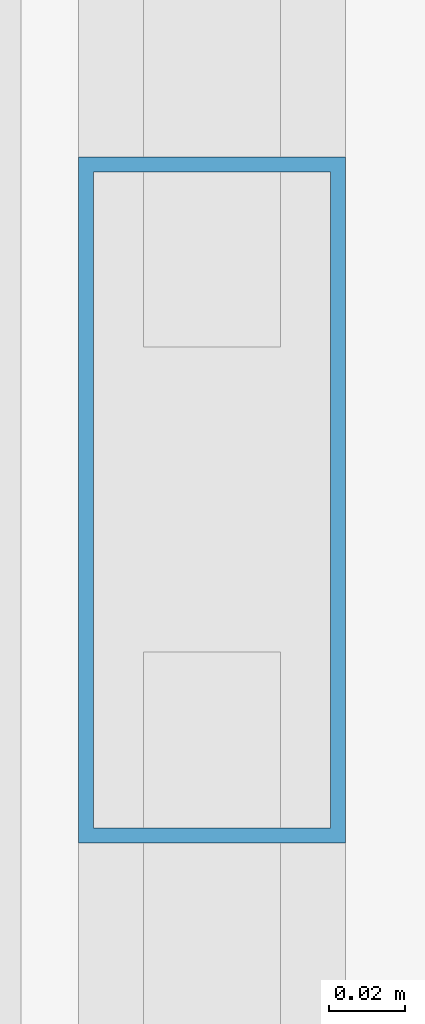
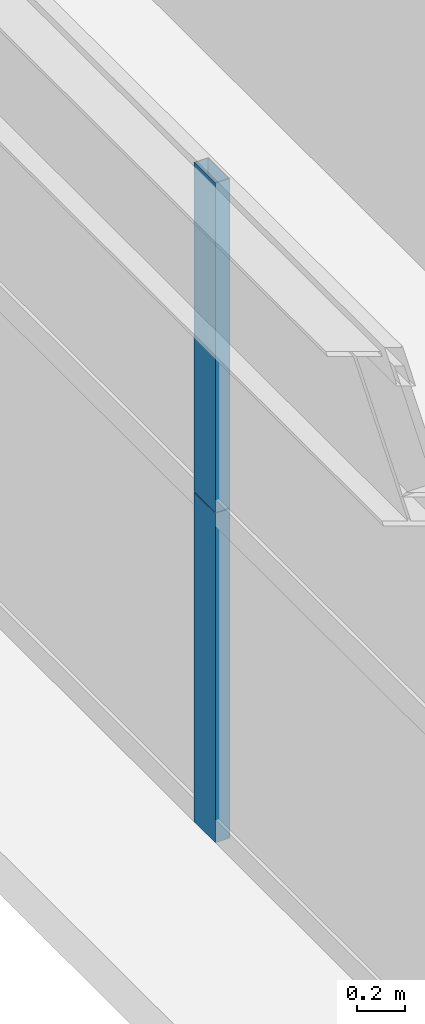
# One storey, part 23 of 43: 2 members, 1 element without a shape of its own.
"""IFC4 building model written with IfcOpenShell, lengths in metres."""

import ifcopenshell
import ifcopenshell.guid

model = None  # the IFC model being written
_history = None  # IfcOwnerHistory: only IFC2X3 demands one
_inside = {}  # id of a spatial element -> (the spatial element, [elements in it])
_under = {}  # id of a project, library or spatial element -> (it, [spatial elements below it])
_declared = {}  # id of a project -> (the project, [libraries it declares])
_typed = {}  # id of a type object -> (the type object, [elements of that type])
_made_of = {}  # id of a material, layer set ... -> (it, [elements and type objects made of it])


def new_model(schema):
    """Start an empty IFC model of exactly this schema.

    Asked for "IFC4X3", IfcOpenShell would pick the latest addendum, in which some entities
    have other attributes; the version numbers below select the first issue.
    IFC2X3 requires an IfcOwnerHistory on every rooted entity: one is made here for all.
    """
    global model, _history
    if schema == "IFC4X3":
        model = ifcopenshell.file(schema_version=(4, 3, 0, 0))
    else:
        model = ifcopenshell.file(schema=schema)
    _inside.clear()
    _under.clear()
    _declared.clear()
    _typed.clear()
    _made_of.clear()
    _history = None
    if model.schema == "IFC2X3":
        org = make("IfcOrganization", Name="unknown")
        user = make(
            "IfcPersonAndOrganization",
            ThePerson=make("IfcPerson", FamilyName="unknown"),
            TheOrganization=org,
        )
        app = make(
            "IfcApplication",
            ApplicationDeveloper=org,
            Version="unknown",
            ApplicationFullName="unknown",
            ApplicationIdentifier="unknown",
        )
        _history = make(
            "IfcOwnerHistory",
            OwningUser=user,
            OwningApplication=app,
            ChangeAction="ADDED",
            CreationDate=0,
        )
    return model


def make(cls, **values):
    """One entity of the class cls with the attributes given. An attribute that is None is left unset."""
    return model.create_entity(
        cls, **{name: value for name, value in values.items() if value is not None}
    )


def rooted(cls, **values):
    """An entity with a GlobalId (a new one), such as an element, a storey or a relation."""
    return make(cls, GlobalId=ifcopenshell.guid.new(), OwnerHistory=_history, **values)


def si_unit(unit_type, name, prefix=None):
    """IfcSIUnit, for example si_unit("LENGTHUNIT", "METRE", prefix="MILLI")."""
    return make("IfcSIUnit", UnitType=unit_type, Prefix=prefix, Name=name)


def assignment(units):
    """IfcUnitAssignment: the units of a project."""
    return None if units is None else make("IfcUnitAssignment", Units=units)


def point(xyz):
    """IfcCartesianPoint."""
    return None if xyz is None else make("IfcCartesianPoint", Coordinates=xyz)


def direction(xyz):
    """IfcDirection."""
    return None if xyz is None else make("IfcDirection", DirectionRatios=xyz)


def frame(location, z_axis=None, x_axis=None):
    """IfcAxis2Placement3D, a coordinate frame: its origin and axes. An axis left out is left unset."""
    return make(
        "IfcAxis2Placement3D",
        Location=point(location),
        Axis=direction(z_axis),
        RefDirection=direction(x_axis),
    )


def frame_2d(location, x_axis=None):
    """IfcAxis2Placement2D, a coordinate frame in the plane: its origin and x axis."""
    return make(
        "IfcAxis2Placement2D", Location=point(location), RefDirection=direction(x_axis)
    )


def origin():
    """The frame at (0, 0, 0) with its axes left unset."""
    return frame((0.0, 0.0, 0.0))


def origin_2d():
    """The frame at (0, 0) in the plane with its x axis left unset."""
    return frame_2d((0.0, 0.0))


def place(relative_to, where):
    """IfcLocalPlacement: puts the frame where relative to a parent placement (None: the world)."""
    return make(
        "IfcLocalPlacement", PlacementRelTo=relative_to, RelativePlacement=where
    )


def context(
    kind, dimensions, precision=None, world=None, true_north=None, identifier=None
):
    """IfcGeometricRepresentationContext, for example the 3D "Model" context."""
    return make(
        "IfcGeometricRepresentationContext",
        ContextIdentifier=identifier,
        ContextType=kind,
        CoordinateSpaceDimension=dimensions,
        Precision=precision,
        WorldCoordinateSystem=world,
        TrueNorth=true_north,
    )


def subcontext(parent, identifier, kind, view, scale=None):
    """IfcGeometricRepresentationSubContext, for example "Body" below "Model"."""
    return make(
        "IfcGeometricRepresentationSubContext",
        ContextIdentifier=identifier,
        ContextType=kind,
        ParentContext=parent,
        TargetScale=scale,
        TargetView=view,
    )


def project(units=None, contexts=None):
    """IfcProject with its units and contexts."""
    return rooted(
        "IfcProject",
        Name="project",
        RepresentationContexts=contexts,
        UnitsInContext=assignment(units),
    )


def spatial(cls, under=None, at=None, **own):
    """A site, building, storey or space (cls), placed at a placement, below another one or the project."""
    s = rooted(cls, ObjectPlacement=at, **own)
    if under is not None:
        _under.setdefault(under.id(), (under, []))[1].append(s)
    return s


def profile(cls, at=None, kind="AREA", **sizes):
    """A parametric profile (cls). Its sizes go by their IFC names, for example OverallWidth=200.0."""
    return make(cls, ProfileType=kind, Position=at, **sizes)


def hollow_rectangle(**sizes):
    """IfcRectangleHollowProfileDef."""
    return profile("IfcRectangleHollowProfileDef", **sizes)


def extrude(swept, where, along, depth):
    """IfcExtrudedAreaSolid: the profile swept, set in the frame where, extruded along a direction by depth."""
    return make(
        "IfcExtrudedAreaSolid",
        SweptArea=swept,
        Position=where,
        ExtrudedDirection=direction(along),
        Depth=depth,
    )


def shape(context_of_items, identifier, shape_type, items):
    """IfcShapeRepresentation: the items that make up one representation, for example the "Body"."""
    return make(
        "IfcShapeRepresentation",
        ContextOfItems=context_of_items,
        RepresentationIdentifier=identifier,
        RepresentationType=shape_type,
        Items=items,
    )


def source(mapping_origin, context_of_items, identifier, shape_type, items):
    """IfcRepresentationMap: a shape defined once, which mapped items show again and again."""
    return make(
        "IfcRepresentationMap",
        MappingOrigin=mapping_origin,
        MappedRepresentation=shape(context_of_items, identifier, shape_type, items),
    )


def transform(
    local_origin,
    x_axis=None,
    y_axis=None,
    z_axis=None,
    scale=None,
    scale2=None,
    scale3=None,
    uniform=True,
):
    """IfcCartesianTransformationOperator3D, or its non-uniform kind. x_axis, y_axis, z_axis: its Axis1, 2, 3."""
    if uniform:
        return make(
            "IfcCartesianTransformationOperator3D",
            Axis1=direction(x_axis),
            Axis2=direction(y_axis),
            LocalOrigin=point(local_origin),
            Scale=scale,
            Axis3=direction(z_axis),
        )
    return make(
        "IfcCartesianTransformationOperator3DnonUniform",
        Axis1=direction(x_axis),
        Axis2=direction(y_axis),
        LocalOrigin=point(local_origin),
        Scale=scale,
        Axis3=direction(z_axis),
        Scale2=scale2,
        Scale3=scale3,
    )


def mapped(mapping_source, mapping_target):
    """IfcMappedItem: shows the shape of a source again, moved by a transform."""
    return make(
        "IfcMappedItem", MappingSource=mapping_source, MappingTarget=mapping_target
    )


def material(Name=None, Category=None):
    """IfcMaterial."""
    return make("IfcMaterial", Name=Name, Category=Category)


def layer(
    of_material, thickness, ventilated=None, Name=None, Category=None, Priority=None
):
    """IfcMaterialLayer: one layer of a wall or slab, of a material (None: an air gap)."""
    return make(
        "IfcMaterialLayer",
        Material=of_material,
        LayerThickness=thickness,
        IsVentilated=ventilated,
        Name=Name,
        Category=Category,
        Priority=Priority,
    )


def layer_set(layers, Name=None):
    """IfcMaterialLayerSet."""
    return make("IfcMaterialLayerSet", MaterialLayers=layers, LayerSetName=Name)


def material_profile(
    of_material, cross_section, Name=None, Category=None, Priority=None
):
    """IfcMaterialProfile: a cross section and its material."""
    return make(
        "IfcMaterialProfile",
        Name=Name,
        Material=of_material,
        Profile=cross_section,
        Priority=Priority,
        Category=Category,
    )


def profile_set(profiles, Name=None, composite=None):
    """IfcMaterialProfileSet."""
    return make(
        "IfcMaterialProfileSet",
        Name=Name,
        MaterialProfiles=profiles,
        CompositeProfile=composite,
    )


def made_of(thing, what):
    """Note that an element or type object is made of a material, layer set ...; save() writes the relation."""
    if what is not None:
        _made_of.setdefault(what.id(), (what, []))[1].append(thing)
    return thing


def type_object(cls, material=None, **own):
    """A type object (cls), such as IfcWallType, which elements share."""
    return made_of(rooted(cls, **own), material)


def element(
    cls,
    number,
    at=None,
    inside=None,
    cuts=None,
    type_object=None,
    material=None,
    context=None,
    identifier="Body",
    shape_type=None,
    held_by="IfcProductDefinitionShape",
    body=None,
    shapes=None,
    **own,
):
    """One element of the class cls, such as IfcWall. Its Tag is "e" and its number.

    at: its placement. inside: the storey or other place that contains it. cuts: it is an
    opening in that element (IfcRelVoidsElement). A single representation is given by context,
    identifier, shape_type and body (its items); several are given by shapes. held_by: the class
    of the entity that holds the representations. save() writes the other relations.
    """
    e = rooted(cls, Tag="e%d" % number, ObjectPlacement=at, **own)
    if body is not None:
        shapes = [shape(context, identifier, shape_type, body)]
    if shapes is not None:
        e.Representation = make(held_by, Representations=shapes)
    if inside is not None:
        _inside.setdefault(inside.id(), (inside, []))[1].append(e)
    if cuts is not None:
        rooted(
            "IfcRelVoidsElement", RelatingBuildingElement=cuts, RelatedOpeningElement=e
        )
    if type_object is not None:
        _typed.setdefault(type_object.id(), (type_object, []))[1].append(e)
    return made_of(e, material)


def aggregate(whole, parts):
    """IfcRelAggregates: a whole, such as a stair, and the parts it consists of."""
    return rooted("IfcRelAggregates", RelatingObject=whole, RelatedObjects=parts)


def save(model, path):
    """Write the relations noted so far, then the file.

    IfcRelAggregates (storeys below a building ...), IfcRelContainedInSpatialStructure (elements
    in a storey), IfcRelDefinesByType, IfcRelAssociatesMaterial and IfcRelDeclares: one each for
    every whole, place, type object, material and project.
    """
    for whole, parts in _under.values():
        aggregate(whole, parts)
    for where, things in _inside.values():
        rooted(
            "IfcRelContainedInSpatialStructure",
            RelatedElements=things,
            RelatingStructure=where,
        )
    for kind, things in _typed.values():
        rooted("IfcRelDefinesByType", RelatedObjects=things, RelatingType=kind)
    for what, things in _made_of.values():
        rooted("IfcRelAssociatesMaterial", RelatedObjects=things, RelatingMaterial=what)
    for by, libraries in _declared.values():
        rooted("IfcRelDeclares", RelatingContext=by, RelatedDefinitions=libraries)
    model.write(path)


model = new_model("IFC4")

# Units and contexts
model_context = context("Model", 3, precision=1e-05, world=origin(), true_north=direction((0.0, 1.0)))
body_context = subcontext(model_context, "Body", "Model", "MODEL_VIEW")
ifc_project = project(units=[si_unit("LENGTHUNIT", "METRE"), si_unit("AREAUNIT", "SQUARE_METRE"), si_unit("VOLUMEUNIT", "CUBIC_METRE"), si_unit("PLANEANGLEUNIT", "RADIAN"), si_unit("MASSUNIT", "GRAM", prefix="KILO"), si_unit("THERMODYNAMICTEMPERATUREUNIT", "KELVIN"), si_unit("POWERUNIT", "WATT")], contexts=[model_context])

# Site, building, storey
site_placement = place(None, origin())
site = spatial("IfcSite", under=ifc_project, at=site_placement, CompositionType="ELEMENT")
building_placement = place(site_placement, origin())
building = spatial("IfcBuilding", under=site, at=building_placement, Name="Yuzanri Waterfront Tower", CompositionType="ELEMENT")
storey_placement = place(building_placement, frame((0.0, 0.0, 108.199951171875)))
storey = spatial("IfcBuildingStorey", under=building, at=storey_placement, Name="L28", CompositionType="ELEMENT", Elevation=108.199951171875)

# Curtain wall, members
ifc_material_1 = material(Name="Anodized Architectural Bronze", Category="metal")
ifc_layer = layer(ifc_material_1, 0.159912109375)
ifc_layer_set = layer_set([ifc_layer], Name="Anodized Architectural Bronze")
curtain_wall_type = type_object("IfcCurtainWallType", Name="Anodized Bronze Hotel Upper-Tier Solar-Control Unitized Curtain Wall 7800", PredefinedType="NOTDEFINED", material=ifc_layer_set)
curtain_wall_placement = place(storey_placement, origin())
curtain_wall = element("IfcCurtainWall", 1, at=curtain_wall_placement, inside=storey, type_object=curtain_wall_type, Name="L28 Curtain Wall CW-L28-WR", PredefinedType="NOTDEFINED")
ifc_material_2 = material(Name="Anodized Architectural Bronze", Category="metal")
ifc_material_profile = material_profile(ifc_material_2, hollow_rectangle(XDim=0.070068359375, YDim=0.179931640625, WallThickness=0.00390625, at=origin_2d()), Name="CWM 70x180")
ifc_profile_set = profile_set([ifc_material_profile], Name="Anodized Architectural Bronze")
member_type = type_object("IfcMemberType", Name="Anodized Bronze Standard Curtain-Wall Mullion 70x180", PredefinedType="MULLION", material=ifc_profile_set)
shared_shape = source(origin(), body_context, "Body", "SweptSolid", [
    extrude(hollow_rectangle(XDim=0.070068359375, YDim=0.179931640625, WallThickness=0.00390625, at=origin_2d()), origin(), (0.0, 0.0, 1.0), 1.68798828125),
])
member_1_placement = place(storey_placement, frame((13.550048828125, 34.14990234375, 0.0), z_axis=(0.0, 0.0, 1.0), x_axis=(1.0, 0.0, 0.0)))
member_1 = element("IfcMember", 2, at=member_1_placement, type_object=member_type, Name="CW-L28-WR Lower Mullion 01", PredefinedType="MULLION", context=body_context, shape_type="MappedRepresentation", body=[
    mapped(shared_shape, transform((0.0, 0.0, 0.0), scale=1.0)),
])
member_2_placement = place(storey_placement, frame((13.550048828125, 34.14990234375, 1.692138671875), z_axis=(0.0, 0.0, 1.0), x_axis=(1.0, 0.0, 0.0)))
member_2 = element("IfcMember", 3, at=member_2_placement, type_object=member_type, Name="CW-L28-WR Upper Mullion 01", PredefinedType="MULLION", context=body_context, shape_type="MappedRepresentation", body=[
    mapped(shared_shape, transform((0.0, 0.0, 0.0), scale=1.0)),
])
aggregate(curtain_wall, [member_1, member_2])

save(model, "model.ifc")
